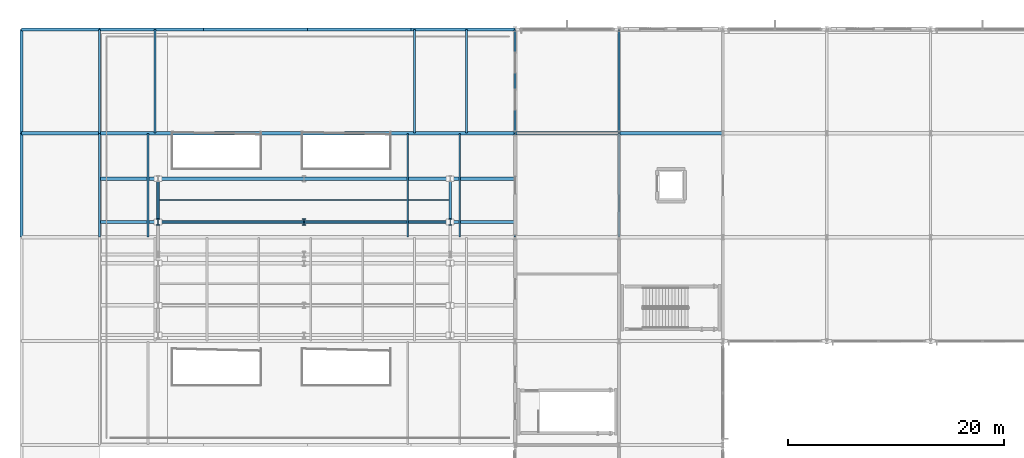
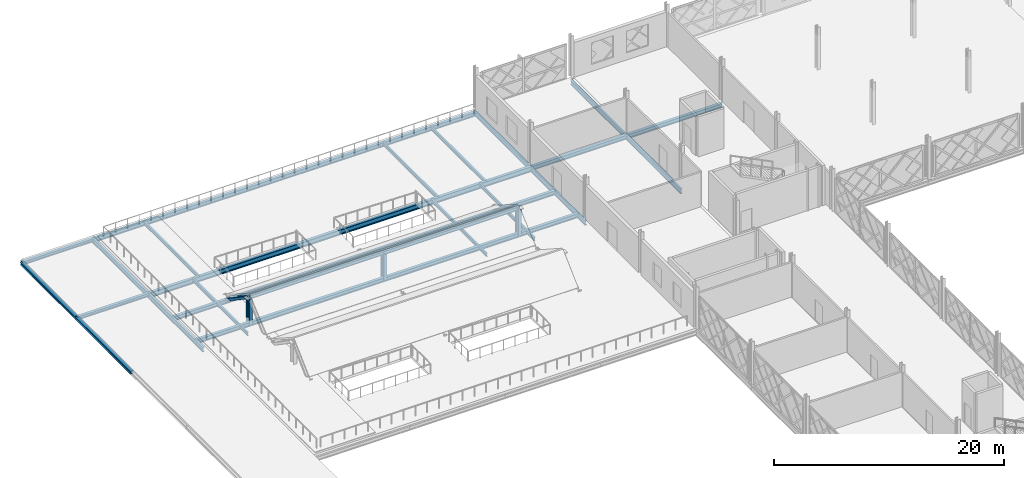
# One storey, part 45 of 101: 27 beams, 5 members.
"""IFC4 building model written with IfcOpenShell, lengths in metres."""

from ifc_helpers import new_model, si_unit, direction, frame, origin, origin_2d, place, context, subcontext, project, spatial, hollow_rectangle, i_section, extrude, material, material_profile, profile_set, type_object, element, save


model = new_model("IFC4")

# Units and contexts
model_context = context("Model", 3, precision=1e-05, world=origin(), true_north=direction((0.0, 1.0)))
body_context = subcontext(model_context, "Body", "Model", "MODEL_VIEW")
ifc_project = project(units=[si_unit("LENGTHUNIT", "METRE"), si_unit("AREAUNIT", "SQUARE_METRE"), si_unit("VOLUMEUNIT", "CUBIC_METRE"), si_unit("PLANEANGLEUNIT", "RADIAN"), si_unit("MASSUNIT", "GRAM", prefix="KILO")], contexts=[model_context])

# Site, building, storey
site_placement = place(None, origin())
site = spatial("IfcSite", under=ifc_project, at=site_placement, CompositionType="ELEMENT")
building_placement = place(site_placement, origin())
building = spatial("IfcBuilding", under=site, at=building_placement, Name="Zevrakil Square Congress Hotel", CompositionType="ELEMENT")
storey_placement = place(building_placement, frame((0.0, 0.0, 5.39990234375)))
storey = spatial("IfcBuildingStorey", under=building, at=storey_placement, Name="L02", CompositionType="ELEMENT", Elevation=5.39990234375)

# Beams
ifc_material_1 = material(Name="Steel S355", Category="steel")
ifc_material_profile_1 = material_profile(ifc_material_1, i_section(OverallWidth=0.300048828125, OverallDepth=0.35009765625, WebThickness=0.010009765625, FlangeThickness=0.017578125, FilletRadius=0.027099609375, at=origin_2d()), Name="HEA 360")
ifc_profile_set_1 = profile_set([ifc_material_profile_1], Name="Steel S355")
beam_type_1 = type_object("IfcBeamType", Name="BM-HEA360", PredefinedType="BEAM", material=ifc_profile_set_1)
for number, where, z_axis, x_axis, name in (
    (1, (0.0, 103.199951171875, -0.434814453125), (1.0, 0.0, 0.0), (0.0, 1.0, 0.0), "L02 primary girder BX-0789"),
    (2, (0.0, 112.800048828125, -0.434814453125), (1.0, 0.0, 0.0), (0.0, 1.0, 0.0), "L02 primary girder BX-0799"),
):
    element("IfcBeam", number, at=place(storey_placement, frame(where, z_axis=z_axis, x_axis=x_axis)), inside=storey, type_object=beam_type_1, Name=name, PredefinedType="BEAM", context=body_context, shape_type="SweptSolid", body=[
        extrude(i_section(OverallWidth=0.300048828125, OverallDepth=0.35009765625, WebThickness=0.010009765625, FlangeThickness=0.017578125, FilletRadius=0.027099609375, at=origin_2d()), origin(), (0.0, 0.0, 1.0), 7.199951171875),
    ])
ifc_material_2 = material(Name="Steel S355", Category="steel")
ifc_material_profile_2 = material_profile(ifc_material_2, i_section(OverallWidth=0.300048828125, OverallDepth=0.43994140625, WebThickness=0.011474609375, FlangeThickness=0.02099609375, FilletRadius=0.027099609375, at=origin_2d()), Name="HEA 450")
ifc_profile_set_2 = profile_set([ifc_material_profile_2], Name="Steel S355")
beam_type_2 = type_object("IfcBeamType", Name="BM-HEA450", PredefinedType="BEAM", material=ifc_profile_set_2)
beam_1_placement = place(storey_placement, frame((45.60009765625, 103.199951171875, -0.47998046875), z_axis=(1.0, 0.0, 0.0), x_axis=(0.0, 1.0, 0.0)))
element("IfcBeam", 3, at=beam_1_placement, inside=storey, type_object=beam_type_2, Name="L02 primary girder BX-0790", PredefinedType="BEAM", context=body_context, shape_type="SweptSolid", body=[
    extrude(i_section(OverallWidth=0.300048828125, OverallDepth=0.43994140625, WebThickness=0.011474609375, FlangeThickness=0.02099609375, FilletRadius=0.027099609375, at=origin_2d()), origin(), (0.0, 0.0, 1.0), 9.599853515625),
])
for number, where, z_axis, x_axis, name in (
    (4, (55.199951171875, 103.199951171875, -0.47998046875), (1.0, 0.0, 0.0), (0.0, 1.0, 0.0), "L02 primary girder BX-0791"),
    (5, (7.199951171875, 112.800048828125, -0.47998046875), (1.0, 0.0, 0.0), (0.0, 1.0, 0.0), "L02 primary girder BX-0800"),
):
    element("IfcBeam", number, at=place(storey_placement, frame(where, z_axis=z_axis, x_axis=x_axis)), inside=storey, type_object=beam_type_2, Name=name, PredefinedType="BEAM", context=body_context, shape_type="SweptSolid", body=[
        extrude(i_section(OverallWidth=0.300048828125, OverallDepth=0.43994140625, WebThickness=0.011474609375, FlangeThickness=0.02099609375, FilletRadius=0.027099609375, at=origin_2d()), origin(), (0.0, 0.0, 1.0), 9.60009765625),
    ])
beam_2_placement = place(storey_placement, frame((16.800048828125, 112.800048828125, -0.47998046875), z_axis=(1.0, 0.0, 0.0), x_axis=(0.0, 1.0, 0.0)))
element("IfcBeam", 6, at=beam_2_placement, inside=storey, type_object=beam_type_2, Name="L02 primary girder BX-0801", PredefinedType="BEAM", context=body_context, shape_type="SweptSolid", body=[
    extrude(i_section(OverallWidth=0.300048828125, OverallDepth=0.43994140625, WebThickness=0.011474609375, FlangeThickness=0.02099609375, FilletRadius=0.027099609375, at=origin_2d()), origin(), (0.0, 0.0, 1.0), 9.599853515625),
])
for number, where, z_axis, x_axis, name in (
    (7, (26.39990234375, 112.800048828125, -0.47998046875), (1.0, 0.0, 0.0), (0.0, 1.0, 0.0), "L02 primary girder BX-0802"),
    (8, (36.0, 112.800048828125, -0.47998046875), (1.0, 0.0, 0.0), (0.0, 1.0, 0.0), "L02 primary girder BX-0803"),
):
    element("IfcBeam", number, at=place(storey_placement, frame(where, z_axis=z_axis, x_axis=x_axis)), inside=storey, type_object=beam_type_2, Name=name, PredefinedType="BEAM", context=body_context, shape_type="SweptSolid", body=[
        extrude(i_section(OverallWidth=0.300048828125, OverallDepth=0.43994140625, WebThickness=0.011474609375, FlangeThickness=0.02099609375, FilletRadius=0.027099609375, at=origin_2d()), origin(), (0.0, 0.0, 1.0), 9.60009765625),
    ])
for number, where, z_axis, x_axis, name in (
    (9, (7.199951171875, 99.0, -0.469970703125), (1.0, 0.0, 0.0), (0.0, 1.0, 0.0), "Spa monitor roof support girder SPE-05"),
    (10, (7.199951171875, 95.0, -0.469970703125), (1.0, 0.0, 0.0), (0.0, 1.0, 0.0), "Spa monitor roof support girder SPE-06"),
):
    element("IfcBeam", number, at=place(storey_placement, frame(where, z_axis=z_axis, x_axis=x_axis)), inside=storey, type_object=beam_type_2, Name=name, PredefinedType="BEAM", context=body_context, shape_type="SweptSolid", body=[
        extrude(i_section(OverallWidth=0.300048828125, OverallDepth=0.43994140625, WebThickness=0.011474609375, FlangeThickness=0.02099609375, FilletRadius=0.027099609375, at=origin_2d()), origin(), (0.0, 0.0, 1.0), 38.400146484375),
    ])
ifc_material_3 = material(Name="Steel S355", Category="steel")
ifc_material_profile_3 = material_profile(ifc_material_3, i_section(OverallWidth=0.300048828125, OverallDepth=0.550048828125, WebThickness=0.014892578125, FlangeThickness=0.029052734375, FilletRadius=0.027099609375, at=origin_2d()), Name="HEB 550")
ifc_profile_set_3 = profile_set([ifc_material_profile_3], Name="Steel S355")
beam_type_3 = type_object("IfcBeamType", Name="BM-HEB550", PredefinedType="BEAM", material=ifc_profile_set_3)
beam_3_placement = place(storey_placement, frame((7.199951171875, 103.199951171875, -0.52490234375), z_axis=(1.0, 0.0, 0.0), x_axis=(0.0, 1.0, 0.0)))
element("IfcBeam", 11, at=beam_3_placement, inside=storey, type_object=beam_type_3, Name="Spa pool hall long-span girder SPG-03", PredefinedType="BEAM", context=body_context, shape_type="SweptSolid", body=[
    extrude(i_section(OverallWidth=0.300048828125, OverallDepth=0.550048828125, WebThickness=0.014892578125, FlangeThickness=0.029052734375, FilletRadius=0.027099609375, at=origin_2d()), origin(), (0.0, 0.0, 1.0), 38.400146484375),
])
ifc_material_4 = material(Name="Steel S355", Category="steel")
ifc_material_profile_4 = material_profile(ifc_material_4, i_section(OverallWidth=0.199951171875, OverallDepth=0.5, WebThickness=0.01025390625, FlangeThickness=0.01611328125, FilletRadius=0.02099609375, at=origin_2d()), Name="IPE 500")
ifc_profile_set_4 = profile_set([ifc_material_profile_4], Name="Steel S355")
beam_type_4 = type_object("IfcBeamType", Name="BM-IPE500", PredefinedType="BEAM", material=ifc_profile_set_4)
beam_4_placement = place(storey_placement, frame((7.199951171875, 93.60009765625, -0.510009765625), z_axis=(0.0, 1.0, 0.0), x_axis=(-1.0, 0.0, 0.0)))
element("IfcBeam", 12, at=beam_4_placement, inside=storey, type_object=beam_type_4, Name="L02 primary girder BY-0837", PredefinedType="BEAM", context=body_context, shape_type="SweptSolid", body=[
    extrude(i_section(OverallWidth=0.199951171875, OverallDepth=0.5, WebThickness=0.01025390625, FlangeThickness=0.01611328125, FilletRadius=0.02099609375, at=origin_2d()), origin(), (0.0, 0.0, 1.0), 9.599853515625),
])
beam_5_placement = place(storey_placement, frame((7.199951171875, 103.199951171875, -0.510009765625), z_axis=(0.0, 1.0, 0.0), x_axis=(-1.0, 0.0, 0.0)))
element("IfcBeam", 13, at=beam_5_placement, inside=storey, type_object=beam_type_4, Name="L02 primary girder BY-0838", PredefinedType="BEAM", context=body_context, shape_type="SweptSolid", body=[
    extrude(i_section(OverallWidth=0.199951171875, OverallDepth=0.5, WebThickness=0.01025390625, FlangeThickness=0.01611328125, FilletRadius=0.02099609375, at=origin_2d()), origin(), (0.0, 0.0, 1.0), 9.60009765625),
])
beam_6_placement = place(storey_placement, frame((45.60009765625, 93.60009765625, -0.510009765625), z_axis=(0.0, 1.0, 0.0), x_axis=(-1.0, 0.0, 0.0)))
element("IfcBeam", 14, at=beam_6_placement, inside=storey, type_object=beam_type_4, Name="L02 primary girder BY-0852", PredefinedType="BEAM", context=body_context, shape_type="SweptSolid", body=[
    extrude(i_section(OverallWidth=0.199951171875, OverallDepth=0.5, WebThickness=0.01025390625, FlangeThickness=0.01611328125, FilletRadius=0.02099609375, at=origin_2d()), origin(), (0.0, 0.0, 1.0), 9.599853515625),
])
beam_7_placement = place(storey_placement, frame((45.60009765625, 103.199951171875, -0.510009765625), z_axis=(0.0, 1.0, 0.0), x_axis=(-1.0, 0.0, 0.0)))
element("IfcBeam", 15, at=beam_7_placement, inside=storey, type_object=beam_type_4, Name="L02 primary girder BY-0853", PredefinedType="BEAM", context=body_context, shape_type="SweptSolid", body=[
    extrude(i_section(OverallWidth=0.199951171875, OverallDepth=0.5, WebThickness=0.01025390625, FlangeThickness=0.01611328125, FilletRadius=0.02099609375, at=origin_2d()), origin(), (0.0, 0.0, 1.0), 9.60009765625),
])
beam_8_placement = place(storey_placement, frame((55.199951171875, 93.60009765625, -0.510009765625), z_axis=(0.0, 1.0, 0.0), x_axis=(-1.0, 0.0, 0.0)))
element("IfcBeam", 16, at=beam_8_placement, inside=storey, type_object=beam_type_4, Name="L02 primary girder BY-0864", PredefinedType="BEAM", context=body_context, shape_type="SweptSolid", body=[
    extrude(i_section(OverallWidth=0.199951171875, OverallDepth=0.5, WebThickness=0.01025390625, FlangeThickness=0.01611328125, FilletRadius=0.02099609375, at=origin_2d()), origin(), (0.0, 0.0, 1.0), 9.599853515625),
])
beam_9_placement = place(storey_placement, frame((55.199951171875, 103.199951171875, -0.510009765625), z_axis=(0.0, 1.0, 0.0), x_axis=(-1.0, 0.0, 0.0)))
element("IfcBeam", 17, at=beam_9_placement, inside=storey, type_object=beam_type_4, Name="L02 primary girder BY-0865", PredefinedType="BEAM", context=body_context, shape_type="SweptSolid", body=[
    extrude(i_section(OverallWidth=0.199951171875, OverallDepth=0.5, WebThickness=0.01025390625, FlangeThickness=0.01611328125, FilletRadius=0.02099609375, at=origin_2d()), origin(), (0.0, 0.0, 1.0), 9.60009765625),
])
ifc_material_5 = material(Name="Steel S355", Category="steel")
ifc_material_profile_5 = material_profile(ifc_material_5, i_section(OverallWidth=0.1201171875, OverallDepth=0.239990234375, WebThickness=0.006103515625, FlangeThickness=0.009765625, FilletRadius=0.014892578125, at=origin_2d()), Name="IPE 240")
ifc_profile_set_5 = profile_set([ifc_material_profile_5], Name="Steel S355")
beam_type_5 = type_object("IfcBeamType", Name="JST-IPE240", PredefinedType="JOIST", material=ifc_profile_set_5)
beam_10_placement = place(storey_placement, frame((12.60009765625, 97.0400390625, 1.110107421875), z_axis=(1.0, 0.0, 0.0), x_axis=(0.0, 1.0, 0.0)))
element("IfcBeam", 18, at=beam_10_placement, inside=storey, type_object=beam_type_5, Name="Spa monitor mid-slope purlin SMP-95", PredefinedType="JOIST", context=body_context, shape_type="SweptSolid", body=[
    extrude(i_section(OverallWidth=0.1201171875, OverallDepth=0.239990234375, WebThickness=0.006103515625, FlangeThickness=0.009765625, FilletRadius=0.014892578125, at=origin_2d()), origin(), (0.0, 0.0, 1.0), 27.0),
])
ifc_material_6 = material(Name="Steel S355", Category="steel")
ifc_material_profile_6 = material_profile(ifc_material_6, i_section(OverallWidth=0.169921875, OverallDepth=0.360107421875, WebThickness=0.008056640625, FlangeThickness=0.0126953125, FilletRadius=0.01806640625, at=origin_2d()), Name="IPE 360")
ifc_profile_set_6 = profile_set([ifc_material_profile_6], Name="Steel S355")
beam_type_6 = type_object("IfcBeamType", Name="JST-IPE360", PredefinedType="JOIST", material=ifc_profile_set_6)
beam_11_placement = place(storey_placement, frame((11.679931640625, 93.6201171875, -0.429931640625), z_axis=(0.0, 1.0, 0.0), x_axis=(-1.0, 0.0, 0.0)))
element("IfcBeam", 19, at=beam_11_placement, inside=storey, type_object=beam_type_6, Name="Spa roof garden secondary beam SPJ-03", PredefinedType="JOIST", context=body_context, shape_type="SweptSolid", body=[
    extrude(i_section(OverallWidth=0.169921875, OverallDepth=0.360107421875, WebThickness=0.008056640625, FlangeThickness=0.0126953125, FilletRadius=0.01806640625, at=origin_2d()), origin(), (0.0, 0.0, 1.0), 9.559814453125),
])
beam_12_placement = place(storey_placement, frame((12.320068359375, 103.219970703125, -0.429931640625), z_axis=(0.0, 1.0, 0.0), x_axis=(-1.0, 0.0, 0.0)))
element("IfcBeam", 20, at=beam_12_placement, inside=storey, type_object=beam_type_6, Name="Spa roof garden secondary beam SPJ-04", PredefinedType="JOIST", context=body_context, shape_type="SweptSolid", body=[
    extrude(i_section(OverallWidth=0.169921875, OverallDepth=0.360107421875, WebThickness=0.008056640625, FlangeThickness=0.0126953125, FilletRadius=0.01806640625, at=origin_2d()), origin(), (0.0, 0.0, 1.0), 9.56005859375),
])
beam_13_placement = place(storey_placement, frame((35.679931640625, 93.6201171875, -0.429931640625), z_axis=(0.0, 1.0, 0.0), x_axis=(-1.0, 0.0, 0.0)))
element("IfcBeam", 21, at=beam_13_placement, inside=storey, type_object=beam_type_6, Name="Spa roof garden secondary beam SPJ-11", PredefinedType="JOIST", context=body_context, shape_type="SweptSolid", body=[
    extrude(i_section(OverallWidth=0.169921875, OverallDepth=0.360107421875, WebThickness=0.008056640625, FlangeThickness=0.0126953125, FilletRadius=0.01806640625, at=origin_2d()), origin(), (0.0, 0.0, 1.0), 9.559814453125),
])
beam_14_placement = place(storey_placement, frame((36.320068359375, 103.219970703125, -0.429931640625), z_axis=(0.0, 1.0, 0.0), x_axis=(-1.0, 0.0, 0.0)))
element("IfcBeam", 22, at=beam_14_placement, inside=storey, type_object=beam_type_6, Name="Spa roof garden secondary beam SPJ-12", PredefinedType="JOIST", context=body_context, shape_type="SweptSolid", body=[
    extrude(i_section(OverallWidth=0.169921875, OverallDepth=0.360107421875, WebThickness=0.008056640625, FlangeThickness=0.0126953125, FilletRadius=0.01806640625, at=origin_2d()), origin(), (0.0, 0.0, 1.0), 9.56005859375),
])
beam_15_placement = place(storey_placement, frame((40.47998046875, 93.6201171875, -0.429931640625), z_axis=(0.0, 1.0, 0.0), x_axis=(-1.0, 0.0, 0.0)))
element("IfcBeam", 23, at=beam_15_placement, inside=storey, type_object=beam_type_6, Name="Spa roof garden secondary beam SPJ-15", PredefinedType="JOIST", context=body_context, shape_type="SweptSolid", body=[
    extrude(i_section(OverallWidth=0.169921875, OverallDepth=0.360107421875, WebThickness=0.008056640625, FlangeThickness=0.0126953125, FilletRadius=0.01806640625, at=origin_2d()), origin(), (0.0, 0.0, 1.0), 9.559814453125),
])
beam_16_placement = place(storey_placement, frame((41.1201171875, 103.219970703125, -0.429931640625), z_axis=(0.0, 1.0, 0.0), x_axis=(-1.0, 0.0, 0.0)))
element("IfcBeam", 24, at=beam_16_placement, inside=storey, type_object=beam_type_6, Name="Spa roof garden secondary beam SPJ-16", PredefinedType="JOIST", context=body_context, shape_type="SweptSolid", body=[
    extrude(i_section(OverallWidth=0.169921875, OverallDepth=0.360107421875, WebThickness=0.008056640625, FlangeThickness=0.0126953125, FilletRadius=0.01806640625, at=origin_2d()), origin(), (0.0, 0.0, 1.0), 9.56005859375),
])
beam_17_placement = place(storey_placement, frame((12.60009765625, 95.0, 2.320068359375), z_axis=(1.0, 0.0, 0.0), x_axis=(0.0, 1.0, 0.0)))
element("IfcBeam", 25, at=beam_17_placement, inside=storey, type_object=beam_type_6, Name="Spa monitor ridge beam SRG-95", PredefinedType="JOIST", context=body_context, shape_type="SweptSolid", body=[
    extrude(i_section(OverallWidth=0.169921875, OverallDepth=0.360107421875, WebThickness=0.008056640625, FlangeThickness=0.0126953125, FilletRadius=0.01806640625, at=origin_2d()), origin(), (0.0, 0.0, 1.0), 27.0),
])

# Members
ifc_material_7 = material(Name="Steel S355", Category="steel")
ifc_material_profile_7 = material_profile(ifc_material_7, hollow_rectangle(XDim=0.25, YDim=0.25, WallThickness=0.012451171875, InnerFilletRadius=0.012451171875, OuterFilletRadius=0.02490234375, at=origin_2d()), Name="SHS 250x250x12.5")
ifc_profile_set_7 = profile_set([ifc_material_profile_7], Name="Steel S355")
member_type_1 = type_object("IfcMemberType", Name="MEM-BRACE-SHS250", PredefinedType="BRACE", material=ifc_profile_set_7)
for number, where, z_axis, x_axis, name in (
    (26, (12.60009765625, 99.0, -0.349853515625), (0.0, -0.831737760879, 0.555168710509), (1.0, 0.0, 0.0), "Spa monitor roof gable chord SGF-06"),
    (27, (39.60009765625, 99.0, -0.349853515625), (0.0, -0.831737760879, 0.555168710509), (1.0, 0.0, 0.0), "Spa monitor roof gable chord SGF-08"),
):
    element("IfcMember", number, at=place(storey_placement, frame(where, z_axis=z_axis, x_axis=x_axis)), inside=storey, type_object=member_type_1, Name=name, PredefinedType="BRACE", context=body_context, shape_type="SweptSolid", body=[
        extrude(hollow_rectangle(XDim=0.25, YDim=0.25, WallThickness=0.012451171875, InnerFilletRadius=0.012451171875, OuterFilletRadius=0.02490234375, at=origin_2d()), origin(), (0.0, 0.0, 1.0), 4.809326171875),
    ])
ifc_material_8 = material(Name="Steel S355", Category="steel")
ifc_material_profile_8 = material_profile(ifc_material_8, i_section(OverallWidth=0.305908203125, OverallDepth=0.572021484375, WebThickness=0.02099609375, FlangeThickness=0.0400390625, FilletRadius=0.027099609375, at=origin_2d()), Name="HEM 550")
ifc_profile_set_8 = profile_set([ifc_material_profile_8], Name="Steel S355")
member_type_2 = type_object("IfcMemberType", Name="MEM-CHORD-HEM550", PredefinedType="CHORD", material=ifc_profile_set_8)
for number, where, z_axis, x_axis, name in (
    (28, (12.60009765625, 95.0, -0.469970703125), (0.0, 0.0, 1.0), (1.0, 0.0, 0.0), "Spa monitor ridge post SPR-95W"),
    (29, (26.10009765625, 95.0, -0.469970703125), (0.0, 0.0, 1.0), (1.0, 0.0, 0.0), "Spa monitor ridge post SPR-95M"),
    (30, (39.60009765625, 95.0, -0.469970703125), (0.0, 0.0, 1.0), (1.0, 0.0, 0.0), "Spa monitor ridge post SPR-95E"),
):
    element("IfcMember", number, at=place(storey_placement, frame(where, z_axis=z_axis, x_axis=x_axis)), inside=storey, type_object=member_type_2, Name=name, PredefinedType="CHORD", context=body_context, shape_type="SweptSolid", body=[
        extrude(i_section(OverallWidth=0.305908203125, OverallDepth=0.572021484375, WebThickness=0.02099609375, FlangeThickness=0.0400390625, FilletRadius=0.027099609375, at=origin_2d()), origin(), (0.0, 0.0, 1.0), 2.7900390625),
    ])

# Beams
ifc_material_9 = material(Name="Steel S355", Category="steel")
ifc_material_profile_9 = material_profile(ifc_material_9, i_section(OverallWidth=0.300048828125, OverallDepth=0.300048828125, WebThickness=0.010986328125, FlangeThickness=0.01904296875, FilletRadius=0.027099609375, at=origin_2d()), Name="HEB 300")
ifc_profile_set_9 = profile_set([ifc_material_profile_9], Name="Steel S355")
beam_type_7 = type_object("IfcBeamType", Name="SPD-RHS250", PredefinedType="SPANDREL", material=ifc_profile_set_9)
beam_18_placement = place(storey_placement, frame((0.0, 93.60009765625, -0.409912109375), z_axis=(0.0, 1.0, 0.0), x_axis=(-1.0, 0.0, 0.0)))
element("IfcBeam", 31, at=beam_18_placement, inside=storey, type_object=beam_type_7, Name="L02 primary girder BY-0828", PredefinedType="SPANDREL", context=body_context, shape_type="SweptSolid", body=[
    extrude(i_section(OverallWidth=0.300048828125, OverallDepth=0.300048828125, WebThickness=0.010986328125, FlangeThickness=0.01904296875, FilletRadius=0.027099609375, at=origin_2d()), origin(), (0.0, 0.0, 1.0), 9.599853515625),
])
beam_19_placement = place(storey_placement, frame((0.0, 103.199951171875, -0.409912109375), z_axis=(0.0, 1.0, 0.0), x_axis=(-1.0, 0.0, 0.0)))
element("IfcBeam", 32, at=beam_19_placement, inside=storey, type_object=beam_type_7, Name="L02 primary girder BY-0829", PredefinedType="SPANDREL", context=body_context, shape_type="SweptSolid", body=[
    extrude(i_section(OverallWidth=0.300048828125, OverallDepth=0.300048828125, WebThickness=0.010986328125, FlangeThickness=0.01904296875, FilletRadius=0.027099609375, at=origin_2d()), origin(), (0.0, 0.0, 1.0), 9.60009765625),
])

save(model, "model.ifc")
